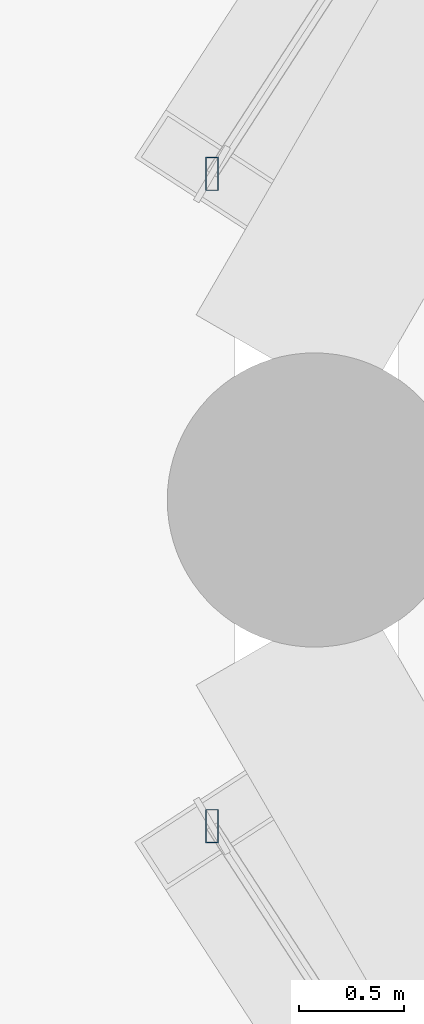
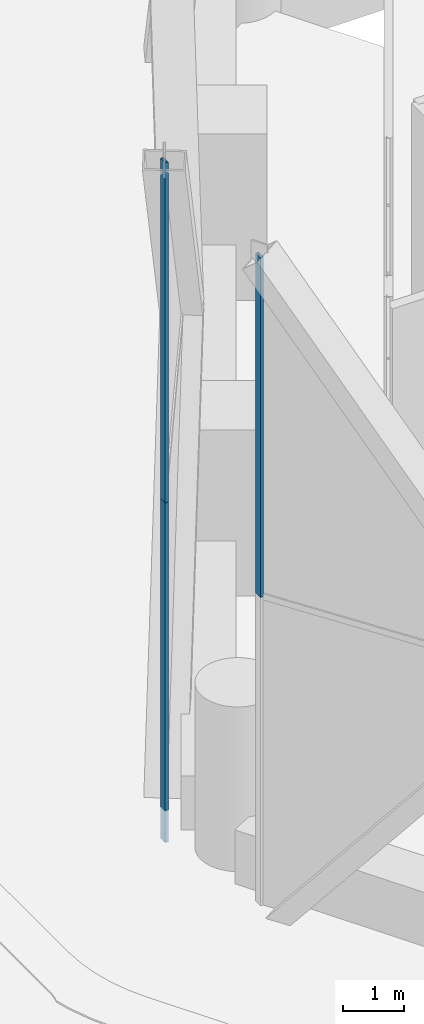
# One storey, part 21 of 71: 3 members, 2 elements without a shape of their own.
"""IFC4 building model written with IfcOpenShell, lengths in metres."""

from ifc_helpers import new_model, si_unit, direction, frame, origin, origin_2d, place, context, subcontext, project, spatial, hollow_rectangle, extrude, material, material_profile, profile_set, type_object, element, aggregate, save


model = new_model("IFC4")

# Units and contexts
model_context = context("Model", 3, precision=1e-05, world=origin(), true_north=direction((0.0, 1.0)))
body_context = subcontext(model_context, "Body", "Model", "MODEL_VIEW")
ifc_project = project(units=[si_unit("LENGTHUNIT", "METRE"), si_unit("AREAUNIT", "SQUARE_METRE"), si_unit("VOLUMEUNIT", "CUBIC_METRE"), si_unit("PLANEANGLEUNIT", "RADIAN"), si_unit("MASSUNIT", "GRAM", prefix="KILO")], contexts=[model_context])

# Site, building, storey
site_placement = place(None, origin())
site = spatial("IfcSite", under=ifc_project, at=site_placement, CompositionType="ELEMENT")
building_placement = place(site_placement, origin())
building = spatial("IfcBuilding", under=site, at=building_placement, Name="Ostrander Bayou Hotel Tower", CompositionType="ELEMENT")
storey_placement = place(building_placement, frame((0.0, 0.0, 10.0)))
storey = spatial("IfcBuildingStorey", under=building, at=storey_placement, Name="L02", CompositionType="ELEMENT", Elevation=10.0)

# Curtain wall, members
ifc_material_1 = material(Name="Aluminium and clear glass", Category="aluminium")
curtain_wall_type = type_object("IfcCurtainWallType", Name="CW-LAT lattice glazing", PredefinedType="NOTDEFINED", material=ifc_material_1)
curtain_wall_1_placement = place(storey_placement, origin())
curtain_wall_1 = element("IfcCurtainWall", 1, at=curtain_wall_1_placement, inside=storey, type_object=curtain_wall_type, Name="CW-LAT L02 NW 1", PredefinedType="NOTDEFINED")
ifc_material_2 = material(Name="Aluminium", Category="aluminium")
ifc_material_profile = material_profile(ifc_material_2, hollow_rectangle(XDim=0.06005859375, YDim=0.159912109375, WallThickness=0.00390625, at=origin_2d()))
ifc_profile_set = profile_set([ifc_material_profile], Name="Aluminium")
member_type = type_object("IfcMemberType", Name="CW-LA mullion 60 x 160 mm", PredefinedType="MULLION", material=ifc_profile_set)
member_1_placement = place(storey_placement, frame((-24.58837890625, 1.551513671875, -0.60009765625), z_axis=(0.0, 0.0, 1.0), x_axis=(1.0, 0.0, 0.0)))
member_1 = element("IfcMember", 2, at=member_1_placement, type_object=member_type, Name="CW-LAT mullion 8", PredefinedType="MULLION", context=body_context, shape_type="SweptSolid", body=[
    extrude(hollow_rectangle(XDim=0.06005859375, YDim=0.159912109375, WallThickness=0.00390625, at=origin_2d()), origin(), (0.0, 0.0, 1.0), 6.75),
])
member_2_placement = place(storey_placement, frame((-24.58837890625, 1.551513671875, 6.14990234375), z_axis=(0.0, 0.0, 1.0), x_axis=(1.0, 0.0, 0.0)))
member_2 = element("IfcMember", 3, at=member_2_placement, type_object=member_type, Name="CW-LAT mullion 9", PredefinedType="MULLION", context=body_context, shape_type="SweptSolid", body=[
    extrude(hollow_rectangle(XDim=0.06005859375, YDim=0.159912109375, WallThickness=0.00390625, at=origin_2d()), origin(), (0.0, 0.0, 1.0), 6.75),
])
aggregate(curtain_wall_1, [member_1, member_2])

# Curtain wall, member
curtain_wall_2_placement = place(storey_placement, origin())
curtain_wall_2 = element("IfcCurtainWall", 4, at=curtain_wall_2_placement, inside=storey, type_object=curtain_wall_type, Name="CW-LAT L02 SW 1", PredefinedType="NOTDEFINED")
member_3_placement = place(storey_placement, frame((-24.58837890625, -1.551513671875, 6.14990234375), z_axis=(0.0, 0.0, 1.0), x_axis=(1.0, 0.0, 0.0)))
member_3 = element("IfcMember", 5, at=member_3_placement, type_object=member_type, Name="CW-LAT mullion 2", PredefinedType="MULLION", context=body_context, shape_type="SweptSolid", body=[
    extrude(hollow_rectangle(XDim=0.06005859375, YDim=0.159912109375, WallThickness=0.00390625, at=origin_2d()), origin(), (0.0, 0.0, 1.0), 6.75),
])
aggregate(curtain_wall_2, [member_3])

save(model, "model.ifc")
